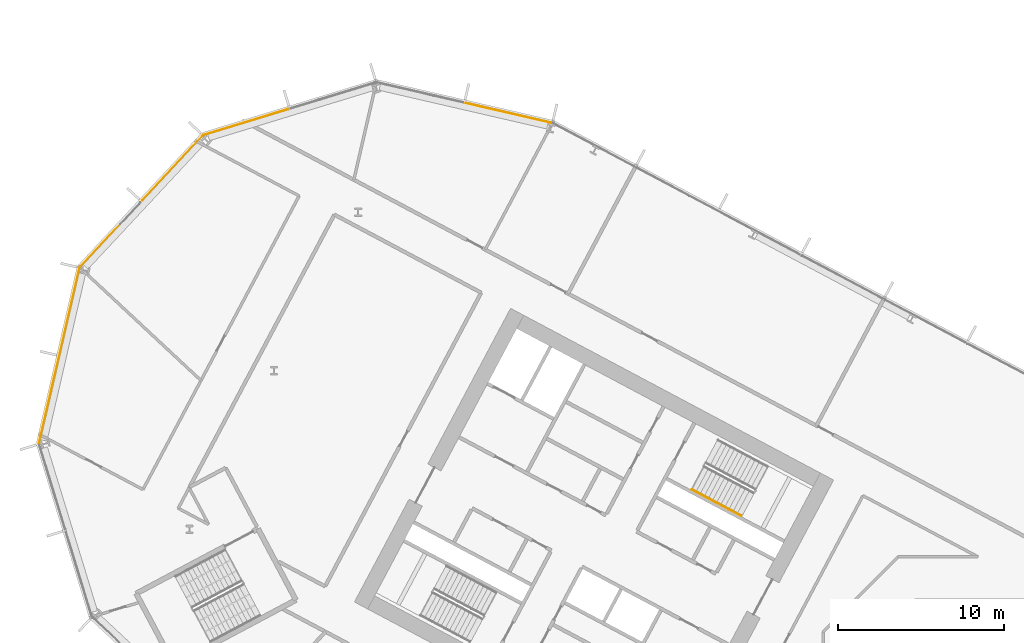
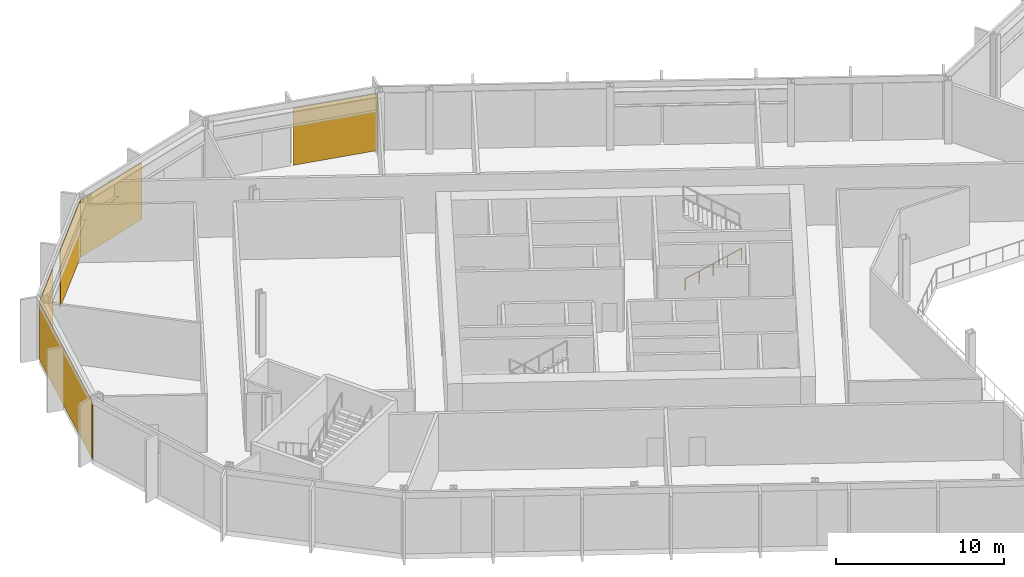
# One storey, part 25 of 32: 5 coverings, 1 railing, 4 elements without a shape of their own.
"""IFC4 building model written with IfcOpenShell, lengths in metres."""

from ifc_helpers import new_model, si_unit, direction, frame, origin, origin_2d, place, context, subcontext, project, spatial, polyline, rectangle, outline, extrude, material, layer, layer_set, type_object, element, aggregate, save


model = new_model("IFC4")

# Units and contexts
model_context = context("Model", 3, precision=1e-05, world=origin(), true_north=direction((0.0, 1.0)))
body_context = subcontext(model_context, "Body", "Model", "MODEL_VIEW")
ifc_project = project(units=[si_unit("LENGTHUNIT", "METRE"), si_unit("AREAUNIT", "SQUARE_METRE"), si_unit("VOLUMEUNIT", "CUBIC_METRE"), si_unit("PLANEANGLEUNIT", "RADIAN"), si_unit("MASSUNIT", "GRAM", prefix="KILO")], contexts=[model_context])

# Site, building, storey
site_placement = place(None, origin())
site = spatial("IfcSite", under=ifc_project, at=site_placement, CompositionType="ELEMENT")
building_placement = place(site_placement, origin())
building = spatial("IfcBuilding", under=site, at=building_placement, Name="Cormorant Relay Tower", CompositionType="ELEMENT")
storey_placement = place(building_placement, frame((0.0, 0.0, 66.199951171875)))
storey = spatial("IfcBuildingStorey", under=building, at=storey_placement, Name="L12", CompositionType="ELEMENT", Elevation=66.199951171875)

# Curtain wall, covering
ifc_material_1 = material(Name="Aluminium 6063-T6 anodised bronze", Category="aluminium")
ifc_layer_1 = layer(ifc_material_1, 0.199951171875)
ifc_layer_set_1 = layer_set([ifc_layer_1], Name="CW1 unitised bronze curtain wall with vertical fins")
curtain_wall_type = type_object("IfcCurtainWallType", Name="CW1 unitised bronze curtain wall with vertical fins", PredefinedType="NOTDEFINED", material=ifc_layer_set_1)
curtain_wall_1_placement = place(storey_placement, origin())
curtain_wall_1 = element("IfcCurtainWall", 1, at=curtain_wall_1_placement, inside=storey, type_object=curtain_wall_type, Name="CW1 curtain wall 8", PredefinedType="NOTDEFINED")
ifc_material_2 = material(Name="Pale bronze anodised aluminium insulated panel", Category="aluminium")
ifc_layer_2 = layer(ifc_material_2, 0.0400390625)
ifc_layer_set_2 = layer_set([ifc_layer_2], Name="CW1 pale bronze insulated panel 40")
covering_type = type_object("IfcCoveringType", Name="CW1 pale bronze insulated panel 40", PredefinedType="CLADDING", material=ifc_layer_set_2)
covering_1_placement = place(storey_placement, frame((-32.51708984375, 40.298828125, 0.0), z_axis=(0.0, 0.0, 1.0), x_axis=(-0.974370064785, 0.224951054344, 0.0)))
covering_1 = element("IfcCovering", 2, at=covering_1_placement, type_object=covering_type, Name="CW1 panel S00", PredefinedType="CLADDING", context=body_context, shape_type="SweptSolid", body=[
    extrude(rectangle(XDim=5.28515625, YDim=0.0400390625, at=origin_2d()), origin(), (0.0, 0.0, 1.0), 4.14990234375),
])
aggregate(curtain_wall_1, [covering_1])

curtain_wall_2_placement = place(storey_placement, origin())
curtain_wall_2 = element("IfcCurtainWall", 3, at=curtain_wall_2_placement, inside=storey, type_object=curtain_wall_type, Name="CW1 curtain wall 9", PredefinedType="NOTDEFINED")
covering_2_placement = place(storey_placement, frame((-48.3037109375, 39.73779296875, 0.0), z_axis=(0.0, 0.0, 1.0), x_axis=(-0.956304755963, -0.292371704723, 0.0)))
covering_2 = element("IfcCovering", 4, at=covering_2_placement, type_object=covering_type, Name="CW1 panel S02", PredefinedType="CLADDING", context=body_context, shape_type="SweptSolid", body=[
    extrude(rectangle(XDim=5.360107421875, YDim=0.0400390625, at=origin_2d()), origin(), (0.0, 0.0, 1.0), 4.14990234375),
])
aggregate(curtain_wall_2, [covering_2])

# Curtain wall, coverings
curtain_wall_3_placement = place(storey_placement, origin())
curtain_wall_3 = element("IfcCurtainWall", 5, at=curtain_wall_3_placement, inside=storey, type_object=curtain_wall_type, Name="CW1 curtain wall 10", PredefinedType="NOTDEFINED")
covering_3_placement = place(storey_placement, frame((-52.72900390625, 36.961181640625, 0.0), z_axis=(0.0, 0.0, 1.0), x_axis=(-0.681998360062, -0.731353701619, 0.0)))
covering_3 = element("IfcCovering", 6, at=covering_3_placement, type_object=covering_type, Name="CW1 panel S00", PredefinedType="CLADDING", context=body_context, shape_type="SweptSolid", body=[
    extrude(rectangle(XDim=5.28515625, YDim=0.0400390625, at=origin_2d()), origin(), (0.0, 0.0, 1.0), 4.14990234375),
])
covering_4_placement = place(storey_placement, frame((-57.0751953125, 32.300537109375, 0.0), z_axis=(0.0, 0.0, 1.0), x_axis=(-0.681998360062, -0.731353701619, 0.0)))
covering_4 = element("IfcCovering", 7, at=covering_4_placement, type_object=covering_type, Name="CW1 panel S02", PredefinedType="CLADDING", context=body_context, shape_type="SweptSolid", body=[
    extrude(rectangle(XDim=3.560302734375, YDim=0.0400390625, at=origin_2d()), origin(), (0.0, 0.0, 1.0), 4.14990234375),
])
aggregate(curtain_wall_3, [covering_3, covering_4])

# Curtain wall, covering
curtain_wall_4_placement = place(storey_placement, origin())
curtain_wall_4 = element("IfcCurtainWall", 8, at=curtain_wall_4_placement, inside=storey, type_object=curtain_wall_type, Name="CW1 curtain wall 11", PredefinedType="NOTDEFINED")
covering_5_placement = place(storey_placement, frame((-59.525146484375, 25.6572265625, 0.0), z_axis=(0.0, 0.0, 1.0), x_axis=(-0.224951054344, -0.974370064785, 0.0)))
covering_5 = element("IfcCovering", 9, at=covering_5_placement, type_object=covering_type, Name="CW1 panel S00", PredefinedType="CLADDING", context=body_context, shape_type="SweptSolid", body=[
    extrude(rectangle(XDim=10.79541015625, YDim=0.0400390625, at=origin_2d()), origin(), (0.0, 0.0, 1.0), 4.14990234375),
])
aggregate(curtain_wall_4, [covering_5])

# Railing
ifc_material_3 = material(Name="Steel ASTM A572 Grade 50 (Fy 345 MPa)", Category="steel")
railing_type = type_object("IfcRailingType", Name="Stair handrail 900", PredefinedType="HANDRAIL", material=ifc_material_3)
railing_placement = place(storey_placement, frame((-21.478271484375, 17.6494140625, 0.177001953125)))
element("IfcRailing", 10, at=railing_placement, inside=storey, type_object=railing_type, Name="L12 A1 stair handrail 1", PredefinedType="HANDRAIL", context=body_context, shape_type="SweptSolid", body=[
    extrude(outline(polyline([(0.022216796875, 0.00927734375), (0.00927734375, 0.022216796875), (-0.00927734375, 0.022216796875), (-0.022216796875, 0.00927734375), (-0.022216796875, -0.00927734375), (-0.00927734375, -0.022216796875), (0.00927734375, -0.022216796875), (0.022216796875, -0.00927734375), (0.022216796875, 0.00927734375)])), frame((0.0, 0.0, 0.8759765625), z_axis=(0.746422470992, -0.396920836698, 0.534141689248), x_axis=(0.469509342547, 0.882927503967, 0.0)), (0.0, 0.0, 1.0), 3.974609375),
    extrude(outline(polyline([(0.019287109375, 0.008056640625), (0.008056640625, 0.019287109375), (-0.008056640625, 0.019287109375), (-0.019287109375, 0.008056640625), (-0.019287109375, -0.008056640625), (-0.008056640625, -0.019287109375), (0.008056640625, -0.019287109375), (0.019287109375, -0.008056640625), (0.019287109375, 0.008056640625)])), origin(), (0.0, 0.0, 1.0), 0.851806640625),
    extrude(outline(polyline([(0.019287109375, 0.008056640625), (0.008056640625, 0.019287109375), (-0.008056640625, 0.019287109375), (-0.019287109375, 0.008056640625), (-0.019287109375, -0.008056640625), (-0.008056640625, -0.019287109375), (0.008056640625, -0.019287109375), (0.019287109375, -0.008056640625), (0.019287109375, 0.008056640625)])), frame((0.74169921875, -0.39453125, 0.53076171875)), (0.0, 0.0, 1.0), 0.851806640625),
    extrude(outline(polyline([(0.019287109375, 0.008056640625), (0.008056640625, 0.019287109375), (-0.008056640625, 0.019287109375), (-0.019287109375, 0.008056640625), (-0.019287109375, -0.008056640625), (-0.008056640625, -0.019287109375), (0.008056640625, -0.019287109375), (0.019287109375, -0.008056640625), (0.019287109375, 0.008056640625)])), frame((1.4833984375, -0.788818359375, 1.0615234375)), (0.0, 0.0, 1.0), 0.851806640625),
    extrude(outline(polyline([(0.019287109375, 0.008056640625), (0.008056640625, 0.019287109375), (-0.008056640625, 0.019287109375), (-0.019287109375, 0.008056640625), (-0.019287109375, -0.008056640625), (-0.008056640625, -0.019287109375), (0.008056640625, -0.019287109375), (0.019287109375, -0.008056640625), (0.019287109375, 0.008056640625)])), frame((2.22509765625, -1.18310546875, 1.59228515625)), (0.0, 0.0, 1.0), 0.851806640625),
    extrude(outline(polyline([(0.019287109375, 0.008056640625), (0.008056640625, 0.019287109375), (-0.008056640625, 0.019287109375), (-0.019287109375, 0.008056640625), (-0.019287109375, -0.008056640625), (-0.008056640625, -0.019287109375), (0.008056640625, -0.019287109375), (0.019287109375, -0.008056640625), (0.019287109375, 0.008056640625)])), frame((2.966796875, -1.57763671875, 2.123046875)), (0.0, 0.0, 1.0), 0.851806640625),
])

save(model, "model.ifc")
